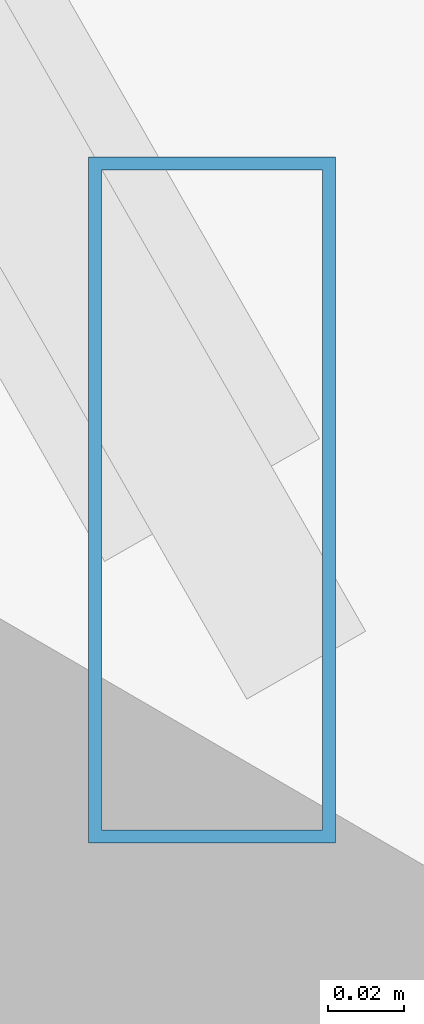
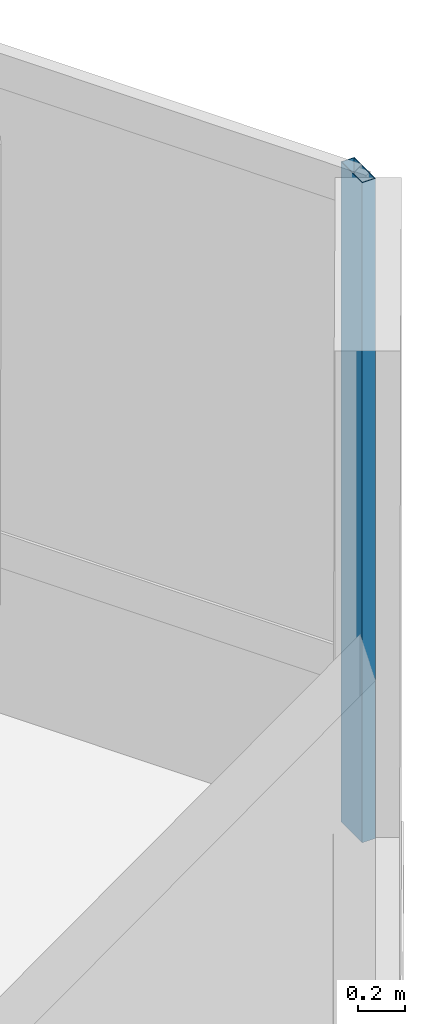
# One storey, part 19 of 34: 1 member, 1 element without a shape of its own.
"""IFC4 building model written with IfcOpenShell, lengths in metres."""

import ifcopenshell
import ifcopenshell.guid

model = None  # the IFC model being written
_history = None  # IfcOwnerHistory: only IFC2X3 demands one
_inside = {}  # id of a spatial element -> (the spatial element, [elements in it])
_under = {}  # id of a project, library or spatial element -> (it, [spatial elements below it])
_declared = {}  # id of a project -> (the project, [libraries it declares])
_typed = {}  # id of a type object -> (the type object, [elements of that type])
_made_of = {}  # id of a material, layer set ... -> (it, [elements and type objects made of it])


def new_model(schema):
    """Start an empty IFC model of exactly this schema.

    Asked for "IFC4X3", IfcOpenShell would pick the latest addendum, in which some entities
    have other attributes; the version numbers below select the first issue.
    IFC2X3 requires an IfcOwnerHistory on every rooted entity: one is made here for all.
    """
    global model, _history
    if schema == "IFC4X3":
        model = ifcopenshell.file(schema_version=(4, 3, 0, 0))
    else:
        model = ifcopenshell.file(schema=schema)
    _inside.clear()
    _under.clear()
    _declared.clear()
    _typed.clear()
    _made_of.clear()
    _history = None
    if model.schema == "IFC2X3":
        org = make("IfcOrganization", Name="unknown")
        user = make(
            "IfcPersonAndOrganization",
            ThePerson=make("IfcPerson", FamilyName="unknown"),
            TheOrganization=org,
        )
        app = make(
            "IfcApplication",
            ApplicationDeveloper=org,
            Version="unknown",
            ApplicationFullName="unknown",
            ApplicationIdentifier="unknown",
        )
        _history = make(
            "IfcOwnerHistory",
            OwningUser=user,
            OwningApplication=app,
            ChangeAction="ADDED",
            CreationDate=0,
        )
    return model


def make(cls, **values):
    """One entity of the class cls with the attributes given. An attribute that is None is left unset."""
    return model.create_entity(
        cls, **{name: value for name, value in values.items() if value is not None}
    )


def rooted(cls, **values):
    """An entity with a GlobalId (a new one), such as an element, a storey or a relation."""
    return make(cls, GlobalId=ifcopenshell.guid.new(), OwnerHistory=_history, **values)


def si_unit(unit_type, name, prefix=None):
    """IfcSIUnit, for example si_unit("LENGTHUNIT", "METRE", prefix="MILLI")."""
    return make("IfcSIUnit", UnitType=unit_type, Prefix=prefix, Name=name)


def assignment(units):
    """IfcUnitAssignment: the units of a project."""
    return None if units is None else make("IfcUnitAssignment", Units=units)


def point(xyz):
    """IfcCartesianPoint."""
    return None if xyz is None else make("IfcCartesianPoint", Coordinates=xyz)


def direction(xyz):
    """IfcDirection."""
    return None if xyz is None else make("IfcDirection", DirectionRatios=xyz)


def frame(location, z_axis=None, x_axis=None):
    """IfcAxis2Placement3D, a coordinate frame: its origin and axes. An axis left out is left unset."""
    return make(
        "IfcAxis2Placement3D",
        Location=point(location),
        Axis=direction(z_axis),
        RefDirection=direction(x_axis),
    )


def frame_2d(location, x_axis=None):
    """IfcAxis2Placement2D, a coordinate frame in the plane: its origin and x axis."""
    return make(
        "IfcAxis2Placement2D", Location=point(location), RefDirection=direction(x_axis)
    )


def origin():
    """The frame at (0, 0, 0) with its axes left unset."""
    return frame((0.0, 0.0, 0.0))


def origin_2d():
    """The frame at (0, 0) in the plane with its x axis left unset."""
    return frame_2d((0.0, 0.0))


def place(relative_to, where):
    """IfcLocalPlacement: puts the frame where relative to a parent placement (None: the world)."""
    return make(
        "IfcLocalPlacement", PlacementRelTo=relative_to, RelativePlacement=where
    )


def context(
    kind, dimensions, precision=None, world=None, true_north=None, identifier=None
):
    """IfcGeometricRepresentationContext, for example the 3D "Model" context."""
    return make(
        "IfcGeometricRepresentationContext",
        ContextIdentifier=identifier,
        ContextType=kind,
        CoordinateSpaceDimension=dimensions,
        Precision=precision,
        WorldCoordinateSystem=world,
        TrueNorth=true_north,
    )


def subcontext(parent, identifier, kind, view, scale=None):
    """IfcGeometricRepresentationSubContext, for example "Body" below "Model"."""
    return make(
        "IfcGeometricRepresentationSubContext",
        ContextIdentifier=identifier,
        ContextType=kind,
        ParentContext=parent,
        TargetScale=scale,
        TargetView=view,
    )


def project(units=None, contexts=None):
    """IfcProject with its units and contexts."""
    return rooted(
        "IfcProject",
        Name="project",
        RepresentationContexts=contexts,
        UnitsInContext=assignment(units),
    )


def spatial(cls, under=None, at=None, **own):
    """A site, building, storey or space (cls), placed at a placement, below another one or the project."""
    s = rooted(cls, ObjectPlacement=at, **own)
    if under is not None:
        _under.setdefault(under.id(), (under, []))[1].append(s)
    return s


def profile(cls, at=None, kind="AREA", **sizes):
    """A parametric profile (cls). Its sizes go by their IFC names, for example OverallWidth=200.0."""
    return make(cls, ProfileType=kind, Position=at, **sizes)


def hollow_rectangle(**sizes):
    """IfcRectangleHollowProfileDef."""
    return profile("IfcRectangleHollowProfileDef", **sizes)


def extrude(swept, where, along, depth):
    """IfcExtrudedAreaSolid: the profile swept, set in the frame where, extruded along a direction by depth."""
    return make(
        "IfcExtrudedAreaSolid",
        SweptArea=swept,
        Position=where,
        ExtrudedDirection=direction(along),
        Depth=depth,
    )


def shape(context_of_items, identifier, shape_type, items):
    """IfcShapeRepresentation: the items that make up one representation, for example the "Body"."""
    return make(
        "IfcShapeRepresentation",
        ContextOfItems=context_of_items,
        RepresentationIdentifier=identifier,
        RepresentationType=shape_type,
        Items=items,
    )


def source(mapping_origin, context_of_items, identifier, shape_type, items):
    """IfcRepresentationMap: a shape defined once, which mapped items show again and again."""
    return make(
        "IfcRepresentationMap",
        MappingOrigin=mapping_origin,
        MappedRepresentation=shape(context_of_items, identifier, shape_type, items),
    )


def transform(
    local_origin,
    x_axis=None,
    y_axis=None,
    z_axis=None,
    scale=None,
    scale2=None,
    scale3=None,
    uniform=True,
):
    """IfcCartesianTransformationOperator3D, or its non-uniform kind. x_axis, y_axis, z_axis: its Axis1, 2, 3."""
    if uniform:
        return make(
            "IfcCartesianTransformationOperator3D",
            Axis1=direction(x_axis),
            Axis2=direction(y_axis),
            LocalOrigin=point(local_origin),
            Scale=scale,
            Axis3=direction(z_axis),
        )
    return make(
        "IfcCartesianTransformationOperator3DnonUniform",
        Axis1=direction(x_axis),
        Axis2=direction(y_axis),
        LocalOrigin=point(local_origin),
        Scale=scale,
        Axis3=direction(z_axis),
        Scale2=scale2,
        Scale3=scale3,
    )


def mapped(mapping_source, mapping_target):
    """IfcMappedItem: shows the shape of a source again, moved by a transform."""
    return make(
        "IfcMappedItem", MappingSource=mapping_source, MappingTarget=mapping_target
    )


def material(Name=None, Category=None):
    """IfcMaterial."""
    return make("IfcMaterial", Name=Name, Category=Category)


def material_profile(
    of_material, cross_section, Name=None, Category=None, Priority=None
):
    """IfcMaterialProfile: a cross section and its material."""
    return make(
        "IfcMaterialProfile",
        Name=Name,
        Material=of_material,
        Profile=cross_section,
        Priority=Priority,
        Category=Category,
    )


def profile_set(profiles, Name=None, composite=None):
    """IfcMaterialProfileSet."""
    return make(
        "IfcMaterialProfileSet",
        Name=Name,
        MaterialProfiles=profiles,
        CompositeProfile=composite,
    )


def made_of(thing, what):
    """Note that an element or type object is made of a material, layer set ...; save() writes the relation."""
    if what is not None:
        _made_of.setdefault(what.id(), (what, []))[1].append(thing)
    return thing


def type_object(cls, material=None, **own):
    """A type object (cls), such as IfcWallType, which elements share."""
    return made_of(rooted(cls, **own), material)


def type_shapes(of_type, sources):
    """Give a type object the sources (RepresentationMaps) that its elements show as mapped items."""
    of_type.RepresentationMaps = sources


def element(
    cls,
    number,
    at=None,
    inside=None,
    cuts=None,
    type_object=None,
    material=None,
    context=None,
    identifier="Body",
    shape_type=None,
    held_by="IfcProductDefinitionShape",
    body=None,
    shapes=None,
    **own,
):
    """One element of the class cls, such as IfcWall. Its Tag is "e" and its number.

    at: its placement. inside: the storey or other place that contains it. cuts: it is an
    opening in that element (IfcRelVoidsElement). A single representation is given by context,
    identifier, shape_type and body (its items); several are given by shapes. held_by: the class
    of the entity that holds the representations. save() writes the other relations.
    """
    e = rooted(cls, Tag="e%d" % number, ObjectPlacement=at, **own)
    if body is not None:
        shapes = [shape(context, identifier, shape_type, body)]
    if shapes is not None:
        e.Representation = make(held_by, Representations=shapes)
    if inside is not None:
        _inside.setdefault(inside.id(), (inside, []))[1].append(e)
    if cuts is not None:
        rooted(
            "IfcRelVoidsElement", RelatingBuildingElement=cuts, RelatedOpeningElement=e
        )
    if type_object is not None:
        _typed.setdefault(type_object.id(), (type_object, []))[1].append(e)
    return made_of(e, material)


def aggregate(whole, parts):
    """IfcRelAggregates: a whole, such as a stair, and the parts it consists of."""
    return rooted("IfcRelAggregates", RelatingObject=whole, RelatedObjects=parts)


def save(model, path):
    """Write the relations noted so far, then the file.

    IfcRelAggregates (storeys below a building ...), IfcRelContainedInSpatialStructure (elements
    in a storey), IfcRelDefinesByType, IfcRelAssociatesMaterial and IfcRelDeclares: one each for
    every whole, place, type object, material and project.
    """
    for whole, parts in _under.values():
        aggregate(whole, parts)
    for where, things in _inside.values():
        rooted(
            "IfcRelContainedInSpatialStructure",
            RelatedElements=things,
            RelatingStructure=where,
        )
    for kind, things in _typed.values():
        rooted("IfcRelDefinesByType", RelatedObjects=things, RelatingType=kind)
    for what, things in _made_of.values():
        rooted("IfcRelAssociatesMaterial", RelatedObjects=things, RelatingMaterial=what)
    for by, libraries in _declared.values():
        rooted("IfcRelDeclares", RelatingContext=by, RelatedDefinitions=libraries)
    model.write(path)


model = new_model("IFC4")

# Units and contexts
model_context = context("Model", 3, precision=1e-05, world=origin(), true_north=direction((0.0, 1.0)))
body_context = subcontext(model_context, "Body", "Model", "MODEL_VIEW")
ifc_project = project(units=[si_unit("LENGTHUNIT", "METRE"), si_unit("AREAUNIT", "SQUARE_METRE"), si_unit("VOLUMEUNIT", "CUBIC_METRE"), si_unit("PLANEANGLEUNIT", "RADIAN"), si_unit("MASSUNIT", "GRAM", prefix="KILO")], contexts=[model_context])

# Site, building, storey
site_placement = place(None, origin())
site = spatial("IfcSite", under=ifc_project, at=site_placement, CompositionType="ELEMENT")
building_placement = place(site_placement, origin())
building = spatial("IfcBuilding", under=site, at=building_placement, Name="Caelisora Broadcast Tower", CompositionType="ELEMENT")
storey_placement = place(building_placement, frame((0.0, 0.0, 49.5)))
storey = spatial("IfcBuildingStorey", under=building, at=storey_placement, Name="L12", CompositionType="ELEMENT", Elevation=49.5)

# Curtain wall, member
ifc_material_1 = material(Name="Unitised Aluminium and Low-E Glass Curtain Wall", Category="glass")
curtain_wall_type = type_object("IfcCurtainWallType", Name="CW-Z1", PredefinedType="NOTDEFINED", material=ifc_material_1)
curtain_wall_placement = place(storey_placement, origin())
curtain_wall = element("IfcCurtainWall", 1, at=curtain_wall_placement, inside=storey, type_object=curtain_wall_type, Name="L12 curtain wall CW-Z1", PredefinedType="NOTDEFINED")
ifc_material_2 = material(Name="Aluminium 6063-T6 Anodised Terracotta Bronze", Category="aluminium")
ifc_material_profile = material_profile(ifc_material_2, hollow_rectangle(XDim=0.06494140625, YDim=0.179931640625, WallThickness=0.00341796875, at=origin_2d()), Name="Aluminium 6063-T6 Anodised Terracotta Bronze")
ifc_profile_set = profile_set([ifc_material_profile], Name="Aluminium 6063-T6 Anodised Terracotta Bronze")
member_type = type_object("IfcMemberType", Name="CWM-02", PredefinedType="MULLION", material=ifc_profile_set)
shared_shape = source(origin(), body_context, "Body", "SweptSolid", [
    extrude(hollow_rectangle(XDim=0.06494140625, YDim=0.179931640625, WallThickness=0.00341796875, at=origin_2d()), origin(), (0.0, 0.0, 1.0), 3.39990234375),
])
type_shapes(member_type, [shared_shape])
member_placement = place(storey_placement, frame((63.34423828125, 18.91650390625, 0.0), z_axis=(0.0, 0.0, 1.0), x_axis=(1.0, 0.0, 0.0)))
member = element("IfcMember", 2, at=member_placement, type_object=member_type, Name="L12-CW-B03 mullion #3", PredefinedType="MULLION", context=body_context, shape_type="MappedRepresentation", body=[
    mapped(shared_shape, transform((0.0, 0.0, 0.0), scale=1.0)),
])
aggregate(curtain_wall, [member])

save(model, "model.ifc")
